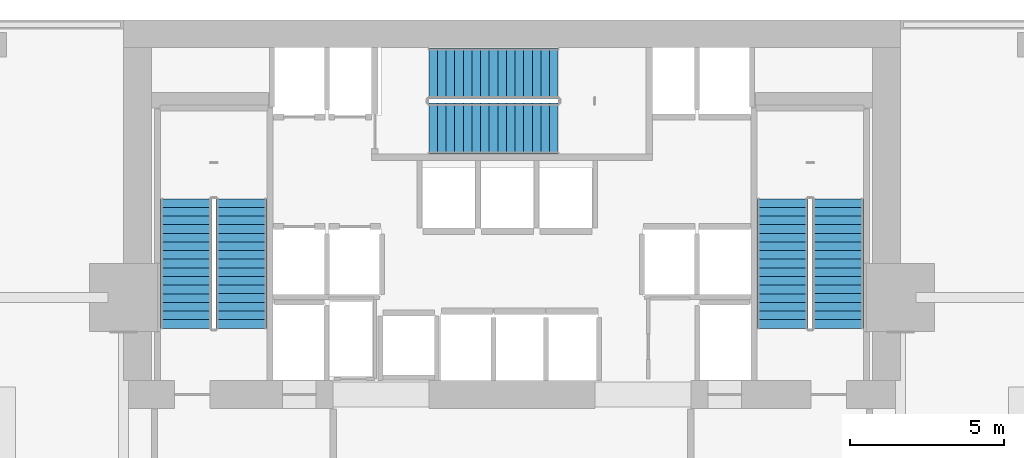
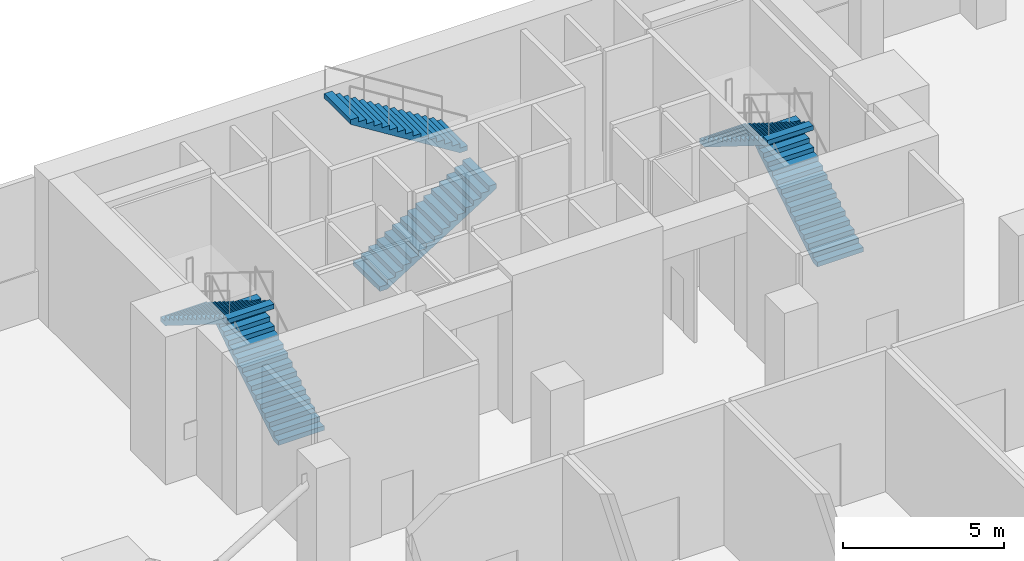
# One storey, part 11 of 15: 6 stair flights, 3 elements without a shape of their own.
"""IFC4 building model written with IfcOpenShell, lengths in metres."""

from ifc_helpers import new_model, si_unit, direction, frame, origin, place, context, subcontext, project, spatial, polyline, outline, extrude, material, type_object, element, aggregate, save


model = new_model("IFC4")

# Units and contexts
model_context = context("Model", 3, precision=1e-05, world=origin(), true_north=direction((0.0, 1.0)))
body_context = subcontext(model_context, "Body", "Model", "MODEL_VIEW")
ifc_project = project(units=[si_unit("LENGTHUNIT", "METRE"), si_unit("AREAUNIT", "SQUARE_METRE"), si_unit("VOLUMEUNIT", "CUBIC_METRE"), si_unit("PLANEANGLEUNIT", "RADIAN"), si_unit("MASSUNIT", "GRAM", prefix="KILO")], contexts=[model_context])

# Site, building, storey
site_placement = place(None, origin())
site = spatial("IfcSite", under=ifc_project, at=site_placement, CompositionType="ELEMENT")
building_placement = place(site_placement, origin())
building = spatial("IfcBuilding", under=site, at=building_placement, Name="Maruvema Waterfront Hotel and Observation Tower", CompositionType="ELEMENT")
storey_placement = place(building_placement, frame((0.0, 0.0, 21.35009765625)))
storey = spatial("IfcBuildingStorey", under=building, at=storey_placement, Name="L04", CompositionType="ELEMENT", Elevation=21.35009765625)

# Stair, stair flights
ifc_material_1 = material(Name="Concrete C50/60", Category="concrete")
stair_type = type_object("IfcStairType", Name="Dogleg Exit Stair 1650 mm (32R x 175.0 mm)", PredefinedType="HALF_TURN_STAIR", material=ifc_material_1)
stair_1_placement = place(storey_placement, origin())
stair_1 = element("IfcStair", 1, at=stair_1_placement, inside=storey, type_object=stair_type, Name="L04 ST-01", PredefinedType="HALF_TURN_STAIR")
ifc_material_2 = material(Name="Concrete C50/60", Category="concrete")
stair_flight_type = type_object("IfcStairFlightType", Name="Reinforced Concrete Stair Flight 1650 mm (16R x 175.0 mm)", PredefinedType="STRAIGHT", material=ifc_material_2)
stair_flight_1_placement = place(storey_placement, frame((29.02490234375, 44.0, 0.0), z_axis=(0.0, 0.0, 1.0), x_axis=(0.0, 1.0, 0.0)))
stair_flight_1 = element("IfcStairFlight", 2, at=stair_flight_1_placement, type_object=stair_flight_type, Name="ST-01 flight 1", NumberOfRisers=16, NumberOfTreads=15, PredefinedType="STRAIGHT", RiserHeight=0.175, TreadLength=0.28, context=body_context, shape_type="SweptSolid", body=[
    extrude(outline(polyline([(0.0, 0.0), (0.0, 0.175048828125), (0.280029296875, 0.175048828125), (0.280029296875, 0.35009765625), (0.56005859375, 0.35009765625), (0.56005859375, 0.52490234375), (0.840087890625, 0.52490234375), (0.840087890625, 0.699951171875), (1.1201171875, 0.699951171875), (1.1201171875, 0.875), (1.39990234375, 0.875), (1.39990234375, 1.050048828125), (1.679931640625, 1.050048828125), (1.679931640625, 1.22509765625), (1.9599609375, 1.22509765625), (1.9599609375, 1.39990234375), (2.239990234375, 1.39990234375), (2.239990234375, 1.574951171875), (2.52001953125, 1.574951171875), (2.52001953125, 1.75), (2.800048828125, 1.75), (2.800048828125, 1.925048828125), (3.080078125, 1.925048828125), (3.080078125, 2.10009765625), (3.360107421875, 2.10009765625), (3.360107421875, 2.27490234375), (3.639892578125, 2.27490234375), (3.639892578125, 2.449951171875), (3.919921875, 2.449951171875), (3.919921875, 2.625), (4.199951171875, 2.625), (4.199951171875, 2.800048828125), (4.199951171875, 2.4482421875), (0.28271484375, 0.0), (0.0, 0.0)])), frame((0.0, 0.824951171875, 0.0), z_axis=(0.0, -1.0, 0.0), x_axis=(1.0, 0.0, 0.0)), (0.0, 0.0, 1.0), 1.64990234375),
])
stair_flight_2_placement = place(storey_placement, frame((27.22509765625, 48.199951171875, 2.7998046875), z_axis=(0.0, 0.0, 1.0), x_axis=(0.0, -1.0, 0.0)))
stair_flight_2 = element("IfcStairFlight", 3, at=stair_flight_2_placement, type_object=stair_flight_type, Name="ST-01 flight 2", NumberOfRisers=16, NumberOfTreads=15, PredefinedType="STRAIGHT", RiserHeight=0.175, TreadLength=0.28, context=body_context, shape_type="SweptSolid", body=[
    extrude(outline(polyline([(0.0, 0.0), (0.0, 0.175048828125), (0.280029296875, 0.175048828125), (0.280029296875, 0.35009765625), (0.56005859375, 0.35009765625), (0.56005859375, 0.52490234375), (0.840087890625, 0.52490234375), (0.840087890625, 0.699951171875), (1.1201171875, 0.699951171875), (1.1201171875, 0.875), (1.39990234375, 0.875), (1.39990234375, 1.050048828125), (1.679931640625, 1.050048828125), (1.679931640625, 1.22509765625), (1.9599609375, 1.22509765625), (1.9599609375, 1.39990234375), (2.239990234375, 1.39990234375), (2.239990234375, 1.574951171875), (2.52001953125, 1.574951171875), (2.52001953125, 1.75), (2.800048828125, 1.75), (2.800048828125, 1.925048828125), (3.080078125, 1.925048828125), (3.080078125, 2.10009765625), (3.360107421875, 2.10009765625), (3.360107421875, 2.27490234375), (3.639892578125, 2.27490234375), (3.639892578125, 2.449951171875), (3.919921875, 2.449951171875), (3.919921875, 2.625), (4.199951171875, 2.625), (4.199951171875, 2.800048828125), (4.199951171875, 2.4482421875), (0.28271484375, 0.0), (0.0, 0.0)])), frame((0.0, 0.824951171875, 0.0), z_axis=(0.0, -1.0, 0.0), x_axis=(1.0, 0.0, 0.0)), (0.0, 0.0, 1.0), 1.64990234375),
])
aggregate(stair_1, [stair_flight_1, stair_flight_2])

stair_2_placement = place(storey_placement, origin())
stair_2 = element("IfcStair", 4, at=stair_2_placement, inside=storey, type_object=stair_type, Name="L04 ST-02", PredefinedType="HALF_TURN_STAIR")
stair_flight_3_placement = place(storey_placement, frame((35.10009765625, 50.47509765625, 0.0), z_axis=(0.0, 0.0, 1.0), x_axis=(1.0, 0.0, 0.0)))
stair_flight_3 = element("IfcStairFlight", 5, at=stair_flight_3_placement, type_object=stair_flight_type, Name="ST-02 flight 1", NumberOfRisers=16, NumberOfTreads=15, PredefinedType="STRAIGHT", RiserHeight=0.175, TreadLength=0.28, context=body_context, shape_type="SweptSolid", body=[
    extrude(outline(polyline([(0.0, 0.0), (0.0, 0.175048828125), (0.280029296875, 0.175048828125), (0.280029296875, 0.35009765625), (0.56005859375, 0.35009765625), (0.56005859375, 0.52490234375), (0.840087890625, 0.52490234375), (0.840087890625, 0.699951171875), (1.1201171875, 0.699951171875), (1.1201171875, 0.875), (1.39990234375, 0.875), (1.39990234375, 1.050048828125), (1.679931640625, 1.050048828125), (1.679931640625, 1.22509765625), (1.9599609375, 1.22509765625), (1.9599609375, 1.39990234375), (2.239990234375, 1.39990234375), (2.239990234375, 1.574951171875), (2.52001953125, 1.574951171875), (2.52001953125, 1.75), (2.800048828125, 1.75), (2.800048828125, 1.925048828125), (3.080078125, 1.925048828125), (3.080078125, 2.10009765625), (3.360107421875, 2.10009765625), (3.360107421875, 2.27490234375), (3.639892578125, 2.27490234375), (3.639892578125, 2.449951171875), (3.919921875, 2.449951171875), (3.919921875, 2.625), (4.199951171875, 2.625), (4.199951171875, 2.800048828125), (4.199951171875, 2.4482421875), (0.28271484375, 0.0), (0.0, 0.0)])), frame((0.0, 0.824951171875, 0.0), z_axis=(0.0, -1.0, 0.0), x_axis=(1.0, 0.0, 0.0)), (0.0, 0.0, 1.0), 1.64990234375),
])
stair_flight_4_placement = place(storey_placement, frame((39.300048828125, 52.27490234375, 2.7998046875), z_axis=(0.0, 0.0, 1.0), x_axis=(-1.0, 0.0, 0.0)))
stair_flight_4 = element("IfcStairFlight", 6, at=stair_flight_4_placement, type_object=stair_flight_type, Name="ST-02 flight 2", NumberOfRisers=16, NumberOfTreads=15, PredefinedType="STRAIGHT", RiserHeight=0.175, TreadLength=0.28, context=body_context, shape_type="SweptSolid", body=[
    extrude(outline(polyline([(0.0, 0.0), (0.0, 0.175048828125), (0.280029296875, 0.175048828125), (0.280029296875, 0.35009765625), (0.56005859375, 0.35009765625), (0.56005859375, 0.52490234375), (0.840087890625, 0.52490234375), (0.840087890625, 0.699951171875), (1.1201171875, 0.699951171875), (1.1201171875, 0.875), (1.39990234375, 0.875), (1.39990234375, 1.050048828125), (1.679931640625, 1.050048828125), (1.679931640625, 1.22509765625), (1.9599609375, 1.22509765625), (1.9599609375, 1.39990234375), (2.239990234375, 1.39990234375), (2.239990234375, 1.574951171875), (2.52001953125, 1.574951171875), (2.52001953125, 1.75), (2.800048828125, 1.75), (2.800048828125, 1.925048828125), (3.080078125, 1.925048828125), (3.080078125, 2.10009765625), (3.360107421875, 2.10009765625), (3.360107421875, 2.27490234375), (3.639892578125, 2.27490234375), (3.639892578125, 2.449951171875), (3.919921875, 2.449951171875), (3.919921875, 2.625), (4.199951171875, 2.625), (4.199951171875, 2.800048828125), (4.199951171875, 2.4482421875), (0.28271484375, 0.0), (0.0, 0.0)])), frame((0.0, 0.824951171875, 0.0), z_axis=(0.0, -1.0, 0.0), x_axis=(1.0, 0.0, 0.0)), (0.0, 0.0, 1.0), 1.64990234375),
])
aggregate(stair_2, [stair_flight_3, stair_flight_4])

stair_3_placement = place(storey_placement, origin())
stair_3 = element("IfcStair", 7, at=stair_3_placement, inside=storey, type_object=stair_type, Name="L04 ST-03", PredefinedType="HALF_TURN_STAIR")
stair_flight_5_placement = place(storey_placement, frame((48.375, 44.0, 0.0), z_axis=(0.0, 0.0, 1.0), x_axis=(0.0, 1.0, 0.0)))
stair_flight_5 = element("IfcStairFlight", 8, at=stair_flight_5_placement, type_object=stair_flight_type, Name="ST-03 flight 1", NumberOfRisers=16, NumberOfTreads=15, PredefinedType="STRAIGHT", RiserHeight=0.175, TreadLength=0.28, context=body_context, shape_type="SweptSolid", body=[
    extrude(outline(polyline([(0.0, 0.0), (0.0, 0.175048828125), (0.280029296875, 0.175048828125), (0.280029296875, 0.35009765625), (0.56005859375, 0.35009765625), (0.56005859375, 0.52490234375), (0.840087890625, 0.52490234375), (0.840087890625, 0.699951171875), (1.1201171875, 0.699951171875), (1.1201171875, 0.875), (1.39990234375, 0.875), (1.39990234375, 1.050048828125), (1.679931640625, 1.050048828125), (1.679931640625, 1.22509765625), (1.9599609375, 1.22509765625), (1.9599609375, 1.39990234375), (2.239990234375, 1.39990234375), (2.239990234375, 1.574951171875), (2.52001953125, 1.574951171875), (2.52001953125, 1.75), (2.800048828125, 1.75), (2.800048828125, 1.925048828125), (3.080078125, 1.925048828125), (3.080078125, 2.10009765625), (3.360107421875, 2.10009765625), (3.360107421875, 2.27490234375), (3.639892578125, 2.27490234375), (3.639892578125, 2.449951171875), (3.919921875, 2.449951171875), (3.919921875, 2.625), (4.199951171875, 2.625), (4.199951171875, 2.800048828125), (4.199951171875, 2.4482421875), (0.28271484375, 0.0), (0.0, 0.0)])), frame((0.0, 0.824951171875, 0.0), z_axis=(0.0, -1.0, 0.0), x_axis=(1.0, 0.0, 0.0)), (0.0, 0.0, 1.0), 1.64990234375),
])
stair_flight_6_placement = place(storey_placement, frame((46.574951171875, 48.199951171875, 2.7998046875), z_axis=(0.0, 0.0, 1.0), x_axis=(0.0, -1.0, 0.0)))
stair_flight_6 = element("IfcStairFlight", 9, at=stair_flight_6_placement, type_object=stair_flight_type, Name="ST-03 flight 2", NumberOfRisers=16, NumberOfTreads=15, PredefinedType="STRAIGHT", RiserHeight=0.175, TreadLength=0.28, context=body_context, shape_type="SweptSolid", body=[
    extrude(outline(polyline([(0.0, 0.0), (0.0, 0.175048828125), (0.280029296875, 0.175048828125), (0.280029296875, 0.35009765625), (0.56005859375, 0.35009765625), (0.56005859375, 0.52490234375), (0.840087890625, 0.52490234375), (0.840087890625, 0.699951171875), (1.1201171875, 0.699951171875), (1.1201171875, 0.875), (1.39990234375, 0.875), (1.39990234375, 1.050048828125), (1.679931640625, 1.050048828125), (1.679931640625, 1.22509765625), (1.9599609375, 1.22509765625), (1.9599609375, 1.39990234375), (2.239990234375, 1.39990234375), (2.239990234375, 1.574951171875), (2.52001953125, 1.574951171875), (2.52001953125, 1.75), (2.800048828125, 1.75), (2.800048828125, 1.925048828125), (3.080078125, 1.925048828125), (3.080078125, 2.10009765625), (3.360107421875, 2.10009765625), (3.360107421875, 2.27490234375), (3.639892578125, 2.27490234375), (3.639892578125, 2.449951171875), (3.919921875, 2.449951171875), (3.919921875, 2.625), (4.199951171875, 2.625), (4.199951171875, 2.800048828125), (4.199951171875, 2.4482421875), (0.28271484375, 0.0), (0.0, 0.0)])), frame((0.0, 0.824951171875, 0.0), z_axis=(0.0, -1.0, 0.0), x_axis=(1.0, 0.0, 0.0)), (0.0, 0.0, 1.0), 1.64990234375),
])
aggregate(stair_3, [stair_flight_5, stair_flight_6])

save(model, "model.ifc")
